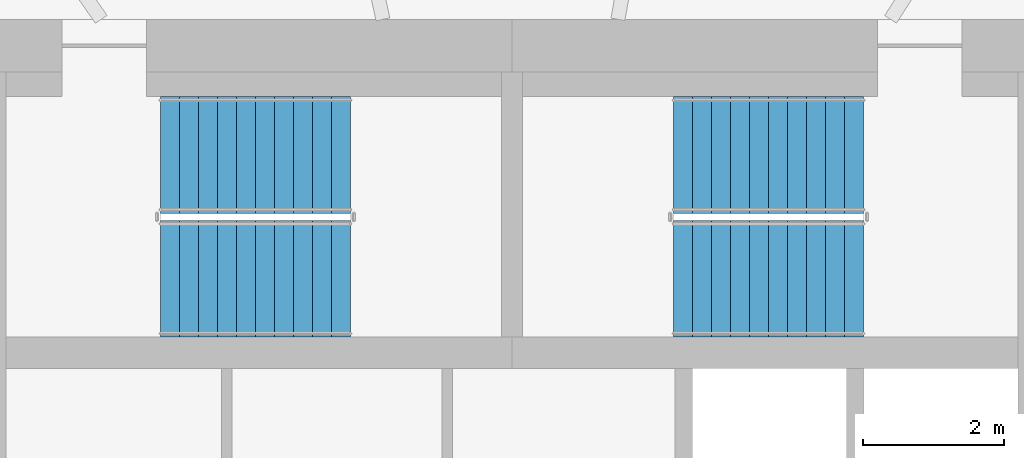
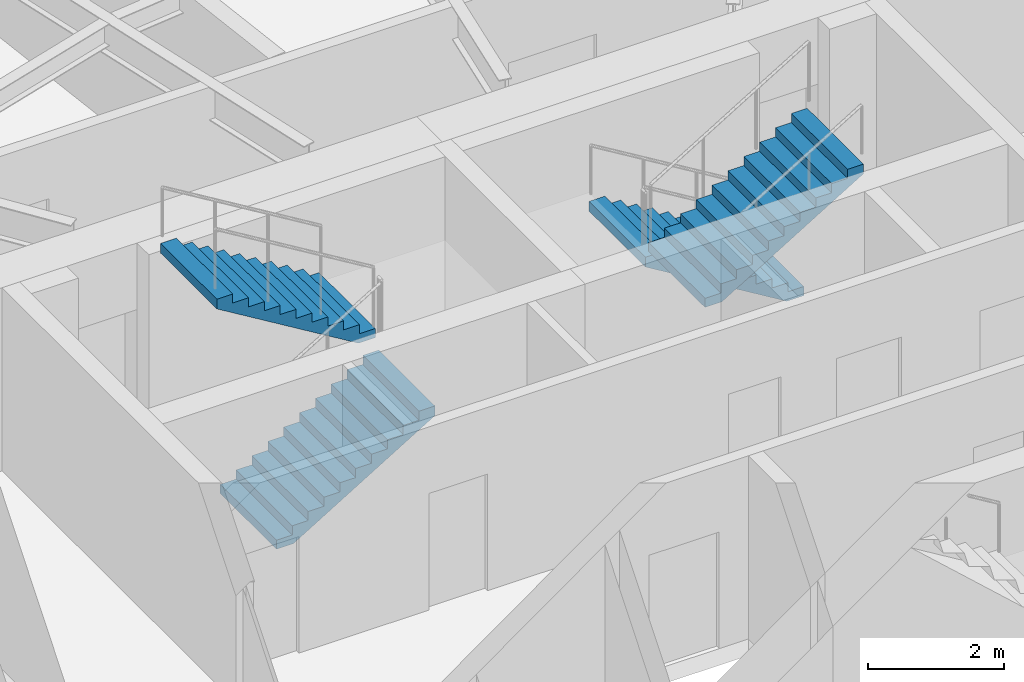
# One storey, part 11 of 14: 4 stair flights, 2 elements without a shape of their own.
"""IFC4 building model written with IfcOpenShell, lengths in metres."""

from ifc_helpers import new_model, si_unit, direction, frame, origin, place, context, subcontext, project, spatial, polyline, outline, extrude, material, type_object, element, aggregate, save


model = new_model("IFC4")

# Units and contexts
model_context = context("Model", 3, precision=1e-05, world=origin(), true_north=direction((0.0, 1.0)))
body_context = subcontext(model_context, "Body", "Model", "MODEL_VIEW")
ifc_project = project(units=[si_unit("LENGTHUNIT", "METRE"), si_unit("AREAUNIT", "SQUARE_METRE"), si_unit("VOLUMEUNIT", "CUBIC_METRE"), si_unit("PLANEANGLEUNIT", "RADIAN"), si_unit("MASSUNIT", "GRAM", prefix="KILO")], contexts=[model_context])

# Site, building, storey
site_placement = place(None, origin())
site = spatial("IfcSite", under=ifc_project, at=site_placement, CompositionType="ELEMENT")
building_placement = place(site_placement, origin())
building = spatial("IfcBuilding", under=site, at=building_placement, Name="Vermilion Reach Broadcast Tower", CompositionType="ELEMENT")
storey_placement = place(building_placement, frame((0.0, 0.0, 199.300048828125)))
storey = spatial("IfcBuildingStorey", under=building, at=storey_placement, Name="L48", CompositionType="ELEMENT", Elevation=199.300048828125)

# Stair, stair flights
ifc_material_1 = material(Name="Concrete C40", Category="concrete")
stair_type = type_object("IfcStairType", Name="Exit stair RC 22 risers 164 mm", PredefinedType="HALF_TURN_STAIR", material=ifc_material_1)
placement = place(storey_placement, origin())
stair_1 = element("IfcStair", 1, at=placement, inside=storey, type_object=stair_type, Name="L48 Exit stair ST1", PredefinedType="HALF_TURN_STAIR")
ifc_material_2 = material(Name="Concrete C40", Category="concrete")
stair_flight_type = type_object("IfcStairFlightType", Name="Exit stair flight RC 11 risers", PredefinedType="STRAIGHT", material=ifc_material_2)
stair_flight_1_placement = place(storey_placement, frame((-11.0, 4.7099609375, 0.0), z_axis=(0.0, 0.0, 1.0), x_axis=(1.0, 0.0, 0.0)))
stair_flight_1 = element("IfcStairFlight", 2, at=stair_flight_1_placement, type_object=stair_flight_type, Name="ST1 flight 1", NumberOfRisers=11, NumberOfTreads=10, PredefinedType="STRAIGHT", RiserHeight=0.163636364, TreadLength=0.27, context=body_context, shape_type="SweptSolid", body=[
    extrude(outline(polyline([(0.0, 0.0), (0.0, 0.16357421875), (0.27001953125, 0.16357421875), (0.27001953125, 0.327392578125), (0.5400390625, 0.327392578125), (0.5400390625, 0.490966796875), (0.81005859375, 0.490966796875), (0.81005859375, 0.654541015625), (1.080078125, 0.654541015625), (1.080078125, 0.818115234375), (1.35009765625, 0.818115234375), (1.35009765625, 0.98193359375), (1.6201171875, 0.98193359375), (1.6201171875, 1.1455078125), (1.889892578125, 1.1455078125), (1.889892578125, 1.30908203125), (2.159912109375, 1.30908203125), (2.159912109375, 1.47265625), (2.429931640625, 1.47265625), (2.429931640625, 1.636474609375), (2.699951171875, 1.636474609375), (2.699951171875, 1.800048828125), (2.699951171875, 1.461181640625), (0.289306640625, 0.0), (0.0, 0.0)])), frame((0.0, 0.830078125, 0.0), z_axis=(0.0, -1.0, 0.0), x_axis=(1.0, 0.0, 0.0)), (0.0, 0.0, 1.0), 1.659912109375),
])
stair_flight_2_placement = place(storey_placement, frame((-8.300048828125, 6.469970703125, 1.800048828125), z_axis=(0.0, 0.0, 1.0), x_axis=(-1.0, 0.0, 0.0)))
stair_flight_2 = element("IfcStairFlight", 3, at=stair_flight_2_placement, type_object=stair_flight_type, Name="ST1 flight 2", NumberOfRisers=11, NumberOfTreads=10, PredefinedType="STRAIGHT", RiserHeight=0.163636364, TreadLength=0.27, context=body_context, shape_type="SweptSolid", body=[
    extrude(outline(polyline([(0.0, 0.0), (0.0, 0.16357421875), (0.27001953125, 0.16357421875), (0.27001953125, 0.327392578125), (0.5400390625, 0.327392578125), (0.5400390625, 0.490966796875), (0.81005859375, 0.490966796875), (0.81005859375, 0.654541015625), (1.080078125, 0.654541015625), (1.080078125, 0.818115234375), (1.35009765625, 0.818115234375), (1.35009765625, 0.98193359375), (1.6201171875, 0.98193359375), (1.6201171875, 1.1455078125), (1.889892578125, 1.1455078125), (1.889892578125, 1.30908203125), (2.159912109375, 1.30908203125), (2.159912109375, 1.47265625), (2.429931640625, 1.47265625), (2.429931640625, 1.636474609375), (2.699951171875, 1.636474609375), (2.699951171875, 1.800048828125), (2.699951171875, 1.461181640625), (0.289306640625, 0.0), (0.0, 0.0)])), frame((0.0, 0.830078125, 0.0), z_axis=(0.0, -1.0, 0.0), x_axis=(1.0, 0.0, 0.0)), (0.0, 0.0, 1.0), 1.659912109375),
])
aggregate(stair_1, [stair_flight_1, stair_flight_2])

stair_2 = element("IfcStair", 4, at=placement, inside=storey, type_object=stair_type, Name="L48 Exit stair ST2", PredefinedType="HALF_TURN_STAIR")
stair_flight_3_placement = place(storey_placement, frame((-1.0, 6.469970703125, 0.0), z_axis=(0.0, 0.0, 1.0), x_axis=(-1.0, 0.0, 0.0)))
stair_flight_3 = element("IfcStairFlight", 5, at=stair_flight_3_placement, type_object=stair_flight_type, Name="ST2 flight 1", NumberOfRisers=11, NumberOfTreads=10, PredefinedType="STRAIGHT", RiserHeight=0.163636364, TreadLength=0.27, context=body_context, shape_type="SweptSolid", body=[
    extrude(outline(polyline([(0.0, 0.0), (0.0, 0.16357421875), (0.27001953125, 0.16357421875), (0.27001953125, 0.327392578125), (0.5400390625, 0.327392578125), (0.5400390625, 0.490966796875), (0.81005859375, 0.490966796875), (0.81005859375, 0.654541015625), (1.080078125, 0.654541015625), (1.080078125, 0.818115234375), (1.35009765625, 0.818115234375), (1.35009765625, 0.98193359375), (1.6201171875, 0.98193359375), (1.6201171875, 1.1455078125), (1.889892578125, 1.1455078125), (1.889892578125, 1.30908203125), (2.159912109375, 1.30908203125), (2.159912109375, 1.47265625), (2.429931640625, 1.47265625), (2.429931640625, 1.636474609375), (2.699951171875, 1.636474609375), (2.699951171875, 1.800048828125), (2.699951171875, 1.461181640625), (0.289306640625, 0.0), (0.0, 0.0)])), frame((0.0, 0.830078125, 0.0), z_axis=(0.0, -1.0, 0.0), x_axis=(1.0, 0.0, 0.0)), (0.0, 0.0, 1.0), 1.659912109375),
])
stair_flight_4_placement = place(storey_placement, frame((-3.699951171875, 4.7099609375, 1.800048828125), z_axis=(0.0, 0.0, 1.0), x_axis=(1.0, 0.0, 0.0)))
stair_flight_4 = element("IfcStairFlight", 6, at=stair_flight_4_placement, type_object=stair_flight_type, Name="ST2 flight 2", NumberOfRisers=11, NumberOfTreads=10, PredefinedType="STRAIGHT", RiserHeight=0.163636364, TreadLength=0.27, context=body_context, shape_type="SweptSolid", body=[
    extrude(outline(polyline([(0.0, 0.0), (0.0, 0.16357421875), (0.27001953125, 0.16357421875), (0.27001953125, 0.327392578125), (0.5400390625, 0.327392578125), (0.5400390625, 0.490966796875), (0.81005859375, 0.490966796875), (0.81005859375, 0.654541015625), (1.080078125, 0.654541015625), (1.080078125, 0.818115234375), (1.35009765625, 0.818115234375), (1.35009765625, 0.98193359375), (1.6201171875, 0.98193359375), (1.6201171875, 1.1455078125), (1.889892578125, 1.1455078125), (1.889892578125, 1.30908203125), (2.159912109375, 1.30908203125), (2.159912109375, 1.47265625), (2.429931640625, 1.47265625), (2.429931640625, 1.636474609375), (2.699951171875, 1.636474609375), (2.699951171875, 1.800048828125), (2.699951171875, 1.461181640625), (0.289306640625, 0.0), (0.0, 0.0)])), frame((0.0, 0.830078125, 0.0), z_axis=(0.0, -1.0, 0.0), x_axis=(1.0, 0.0, 0.0)), (0.0, 0.0, 1.0), 1.659912109375),
])
aggregate(stair_2, [stair_flight_3, stair_flight_4])

save(model, "model.ifc")
